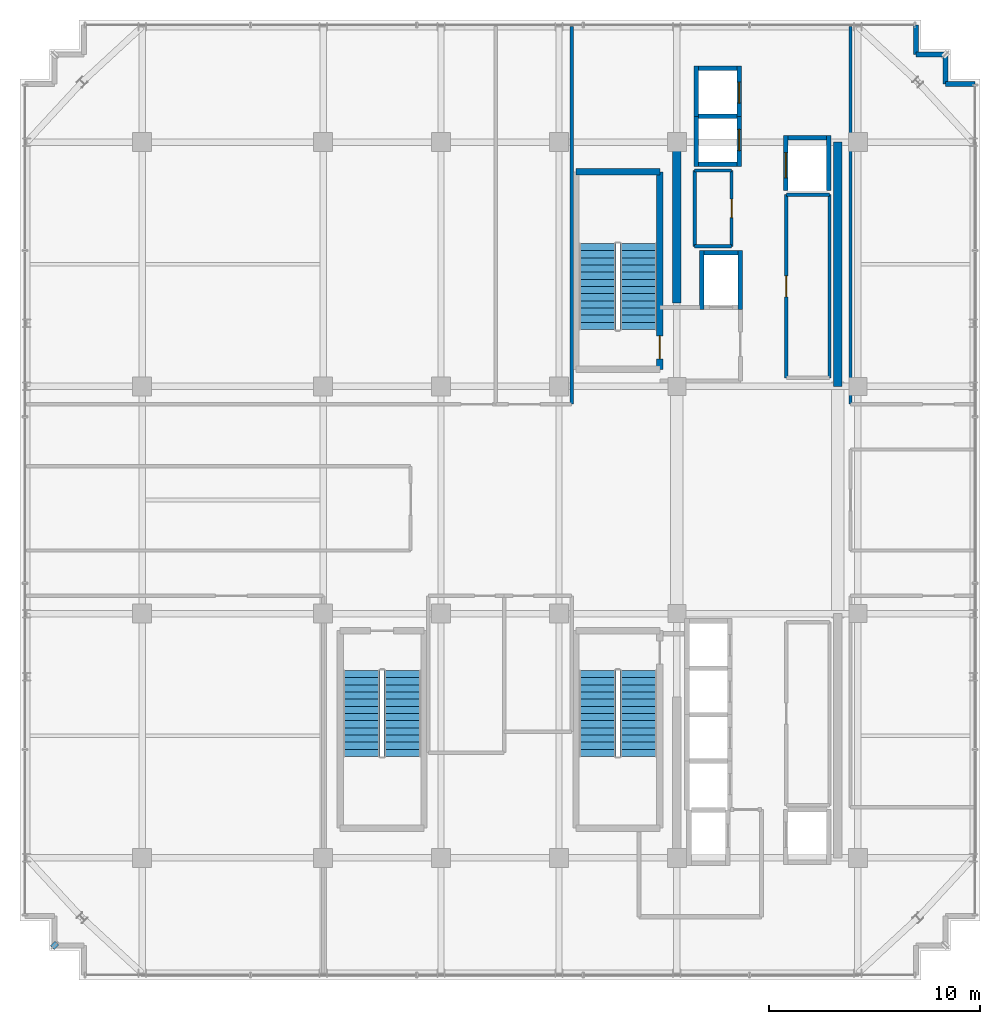
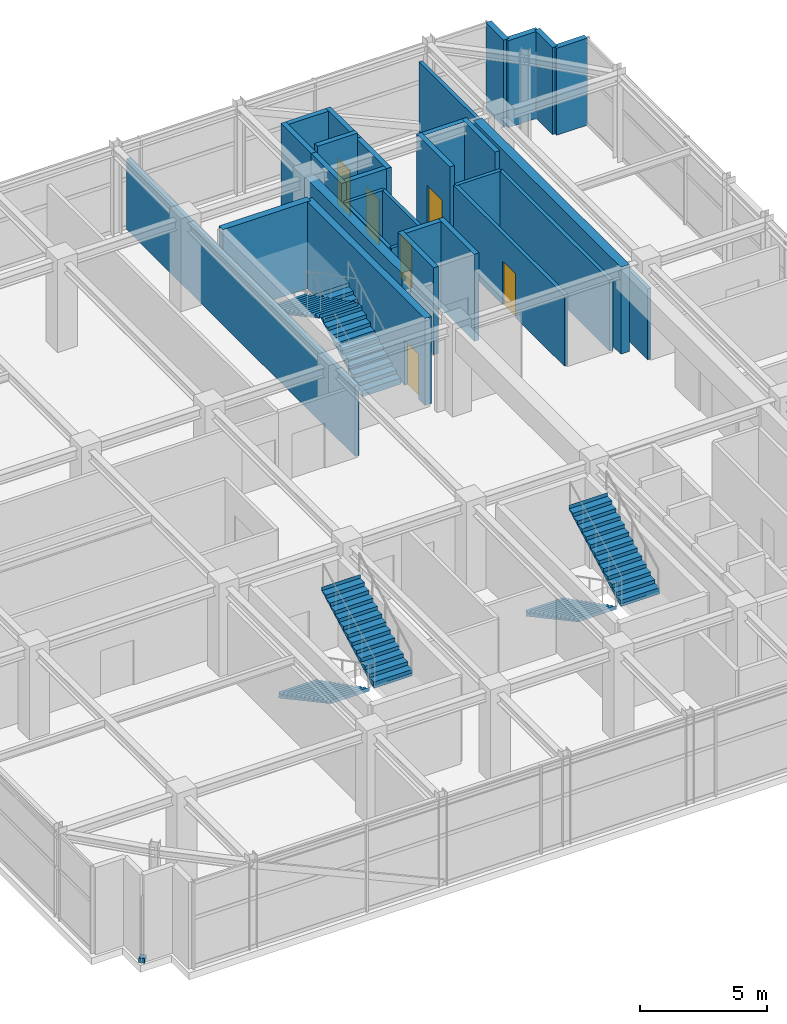
# One storey, part 24 of 26: 30 walls, 6 doors, 6 stair flights, 1 discrete accessory, 6 openings, 3 elements without a shape of their own.
"""IFC4 building model written with IfcOpenShell, lengths in metres."""

from ifc_helpers import new_model, si_unit, direction, frame, frame_2d, origin, origin_2d, place, context, subcontext, project, spatial, polyline, rectangle, outline, extrude, source, transform, mapped, material, layer, layer_set, type_object, element, fill, aggregate, save


model = new_model("IFC4")

# Units and contexts
model_context = context("Model", 3, precision=1e-05, world=origin(), true_north=direction((0.0, 1.0)))
body_context = subcontext(model_context, "Body", "Model", "MODEL_VIEW")
ifc_project = project(units=[si_unit("LENGTHUNIT", "METRE"), si_unit("AREAUNIT", "SQUARE_METRE"), si_unit("VOLUMEUNIT", "CUBIC_METRE"), si_unit("PLANEANGLEUNIT", "RADIAN"), si_unit("MASSUNIT", "GRAM", prefix="KILO")], contexts=[model_context])

# Site, building, storey
site_placement = place(None, origin())
site = spatial("IfcSite", under=ifc_project, at=site_placement, CompositionType="ELEMENT")
building_placement = place(site_placement, origin())
building = spatial("IfcBuilding", under=site, at=building_placement, Name="Nahalor Promenade Grand Hotel", CompositionType="ELEMENT")
storey_placement = place(building_placement, frame((0.0, 0.0, 343.050048828125)))
storey = spatial("IfcBuildingStorey", under=building, at=storey_placement, Name="L88", CompositionType="ELEMENT", Elevation=343.050048828125)

# Walls
ifc_material_1 = material(Name="Concrete B-50 (C40/50)", Category="concrete")
ifc_layer_1 = layer(ifc_material_1, 0.39990234375)
ifc_layer_set_1 = layer_set([ifc_layer_1], Name="Concrete B-50 (C40/50)")
wall_type_1 = type_object("IfcWallType", Name="Wall-CoreShear-400", PredefinedType="SHEAR", material=ifc_layer_set_1)
shared_shape_1 = source(origin(), body_context, "Body", "SweptSolid", [
    extrude(rectangle(XDim=7.64990234375, YDim=0.39990234375, at=frame_2d((3.824951171875, 0.0))), origin(), (0.0, 0.0, 1.0), 4.169921875),
])
wall_1_placement = place(storey_placement, frame((8.39990234375, 9.35009765625, 0.0), z_axis=(0.0, 0.0, 1.0), x_axis=(0.0, 1.0, 0.0)))
element("IfcWall", 1, at=wall_1_placement, inside=storey, type_object=wall_type_1, Name="CWALL-L88-NW", PredefinedType="SHEAR", context=body_context, shape_type="MappedRepresentation", body=[
    mapped(shared_shape_1, transform((0.0, 0.0, 0.0), scale=1.0)),
])
shared_shape_2 = source(origin(), body_context, "Body", "SweptSolid", [
    extrude(rectangle(XDim=11.60009765625, YDim=0.39990234375, at=frame_2d((5.800048828125, 0.0))), origin(), (0.0, 0.0, 1.0), 4.169921875),
])
wall_2_placement = place(storey_placement, frame((16.050048828125, 5.39990234375, 0.0), z_axis=(0.0, 0.0, 1.0), x_axis=(0.0, 1.0, 0.0)))
element("IfcWall", 2, at=wall_2_placement, inside=storey, type_object=wall_type_1, Name="CWALL-L88-NE", PredefinedType="SHEAR", context=body_context, shape_type="MappedRepresentation", body=[
    mapped(shared_shape_2, transform((0.0, 0.0, 0.0), scale=1.0)),
])
ifc_layer_2 = layer(ifc_material_1, 0.300048828125)
ifc_layer_set_2 = layer_set([ifc_layer_2], Name="Concrete B-50 (C40/50)")
wall_type_2 = type_object("IfcWallType", Name="Wall-ShaftShear-300", PredefinedType="SHEAR", material=ifc_layer_set_2)
shared_shape_3 = source(origin(), body_context, "Body", "SweptSolid", [
    extrude(rectangle(XDim=3.97998046875, YDim=0.300048828125, at=frame_2d((1.989990234375, 0.0))), origin(), (0.0, 0.0, 1.0), 4.169921875),
])
wall_3_placement = place(storey_placement, frame((3.610107421875, 15.590087890625, 0.0), z_axis=(0.0, 0.0, 1.0), x_axis=(1.0, 0.0, 0.0)))
element("IfcWall", 3, at=wall_3_placement, inside=storey, type_object=wall_type_2, Name="L88 Exit Stair ST1 Shaft Wall N", PredefinedType="SHEAR", context=body_context, shape_type="MappedRepresentation", body=[
    mapped(shared_shape_3, transform((0.0, 0.0, 0.0), scale=1.0)),
])

# Wall, opening, door
shared_shape_4 = source(origin(), body_context, "Body", "SweptSolid", [
    extrude(rectangle(XDim=9.380126953125, YDim=0.300048828125, at=frame_2d((4.68994140625, 0.0))), origin(), (0.0, 0.0, 1.0), 4.169921875),
])
wall_4_placement = place(storey_placement, frame((7.590087890625, 6.2099609375, 0.0), z_axis=(0.0, 0.0, 1.0), x_axis=(0.0, 1.0, 0.0)))
wall_4 = element("IfcWall", 4, at=wall_4_placement, inside=storey, type_object=wall_type_2, Name="L88 Exit Stair ST1 Shaft Wall E", PredefinedType="SHEAR", context=body_context, shape_type="MappedRepresentation", body=[
    mapped(shared_shape_4, transform((0.0, 0.0, 0.0), scale=1.0)),
])
opening_1_placement = place(wall_4_placement, frame((0.489990234375, 0.0, 0.0)))
opening_1 = element("IfcOpeningElement", 5, at=opening_1_placement, cuts=wall_4, Name="Opening D-ST1", PredefinedType="OPENING", context=body_context, shape_type="SweptSolid", body=[
    extrude(rectangle(XDim=1.10009765625, YDim=2.14990234375, at=frame_2d((0.550048828125, 1.074951171875))), frame((0.0, 0.159912109375, 0.0), z_axis=(0.0, -1.0, 0.0), x_axis=(1.0, 0.0, 0.0)), (0.0, 0.0, 1.0), 0.320068359375),
])
ifc_material_2 = material(Name="Steel S355JR", Category="steel")
door_type_1 = type_object("IfcDoorType", Name="Door-StairFire-1100", OperationType="NOTDEFINED", PredefinedType="DOOR", material=ifc_material_2)
shared_shape_5 = source(origin(), body_context, "Body", "SweptSolid", [
    extrude(rectangle(XDim=1.10009765625, YDim=2.14990234375, at=frame_2d((0.550048828125, 1.074951171875))), frame((0.0, 0.02490234375, 0.0), z_axis=(0.0, -1.0, 0.0), x_axis=(1.0, 0.0, 0.0)), (0.0, 0.0, 1.0), 0.050048828125),
])
door_1_placement = place(opening_1_placement, origin())
door_1 = element("IfcDoor", 6, at=door_1_placement, inside=storey, type_object=door_type_1, Name="DR-STAIR-ST1-L88", OperationType="SINGLE_SWING_LEFT", OverallHeight=2.14990234375, OverallWidth=1.10009765625, PredefinedType="DOOR", context=body_context, shape_type="MappedRepresentation", body=[
    mapped(shared_shape_5, transform((0.0, 0.0, 0.0), scale=1.0)),
])
fill(opening_1, door_1)

# Walls
ifc_layer_3 = layer(ifc_material_1, 0.219970703125)
ifc_layer_set_3 = layer_set([ifc_layer_3], Name="Concrete B-50 (C40/50)")
wall_type_3 = type_object("IfcWallType", Name="Wall-LiftShaft-220", PredefinedType="SHEAR", material=ifc_layer_set_3)
shared_shape_6 = source(origin(), body_context, "Body", "SweptSolid", [
    extrude(rectangle(XDim=1.820068359375, YDim=0.219970703125, at=frame_2d((0.91015625, 0.0))), origin(), (0.0, 0.0, 1.0), 4.5),
])
wall_5_placement = place(storey_placement, frame((9.43994140625, 18.22509765625, 0.0), z_axis=(0.0, 0.0, 1.0), x_axis=(1.0, 0.0, 0.0)))
element("IfcWall", 7, at=wall_5_placement, inside=storey, type_object=wall_type_3, Name="L88 Lift OB1 Hoistway Wall N", PredefinedType="SHEAR", context=body_context, shape_type="MappedRepresentation", body=[
    mapped(shared_shape_6, transform((0.0, 0.0, 0.0), scale=1.0)),
])
shared_shape_7 = source(origin(), body_context, "Body", "SweptSolid", [
    extrude(rectangle(XDim=1.820068359375, YDim=0.219970703125, at=frame_2d((0.91015625, 0.0))), origin(), (0.0, 0.0, 1.0), 4.169921875),
])
for number, where, z_axis, x_axis, name in (
    (8, (9.43994140625, 15.949951171875, 0.0), (0.0, 0.0, 1.0), (1.0, 0.0, 0.0), "L88 Lift OB1 Hoistway Wall S"),
    (9, (9.43994140625, 20.5, 0.0), (0.0, 0.0, 1.0), (1.0, 0.0, 0.0), "L88 Lift OB2 Hoistway Wall N"),
    (10, (13.68994140625, 17.199951171875, 0.0), (0.0, 0.0, 1.0), (1.0, 0.0, 0.0), "L88 Lift SV1 Hoistway Wall N"),
):
    element("IfcWall", number, at=place(storey_placement, frame(where, z_axis=z_axis, x_axis=x_axis)), inside=storey, type_object=wall_type_3, Name=name, PredefinedType="SHEAR", context=body_context, shape_type="MappedRepresentation", body=[
        mapped(shared_shape_7, transform((0.0, 0.0, 0.0), scale=1.0)),
    ])
shared_shape_8 = source(origin(), body_context, "Body", "SweptSolid", [
    extrude(rectangle(XDim=2.385009765625, YDim=0.219970703125, at=frame_2d((1.1923828125, 0.0))), origin(), (0.0, 0.0, 1.0), 4.169921875),
])
wall_6_placement = place(storey_placement, frame((9.330078125, 15.840087890625, 0.0), z_axis=(0.0, 0.0, 1.0), x_axis=(0.0, 1.0, 0.0)))
element("IfcWall", 11, at=wall_6_placement, inside=storey, type_object=wall_type_3, Name="L88 Lift OB1 Hoistway Wall W", PredefinedType="SHEAR", context=body_context, shape_type="MappedRepresentation", body=[
    mapped(shared_shape_8, transform((0.0, 0.0, 0.0), scale=1.0)),
])

# Wall, opening, door
wall_7_placement = place(storey_placement, frame((11.3701171875, 15.840087890625, 0.0), z_axis=(0.0, 0.0, 1.0), x_axis=(0.0, 1.0, 0.0)))
wall_7 = element("IfcWall", 12, at=wall_7_placement, inside=storey, type_object=wall_type_3, Name="L88 Lift OB1 Hoistway Wall E", PredefinedType="SHEAR", context=body_context, shape_type="MappedRepresentation", body=[
    mapped(shared_shape_8, transform((0.0, 0.0, 0.0), scale=1.0)),
])
opening_2_placement = place(wall_7_placement, frame((0.760009765625, 0.0, 0.0)))
opening_2 = element("IfcOpeningElement", 13, at=opening_2_placement, cuts=wall_7, Name="Opening LD-01", PredefinedType="OPENING", context=body_context, shape_type="SweptSolid", body=[
    extrude(rectangle(XDim=1.0, YDim=2.199951171875, at=frame_2d((0.5, 1.10009765625))), frame((0.0, 0.119873046875, 0.0), z_axis=(0.0, -1.0, 0.0), x_axis=(1.0, 0.0, 0.0)), (0.0, 0.0, 1.0), 0.239990234375),
])
door_type_2 = type_object("IfcDoorType", Name="Door-LiftLanding-1000", OperationType="DOUBLE_DOOR_SLIDING", PredefinedType="DOOR", material=ifc_material_2)
shared_shape_9 = source(origin(), body_context, "Body", "SweptSolid", [
    extrude(rectangle(XDim=1.0, YDim=2.199951171875, at=frame_2d((0.5, 1.10009765625))), frame((0.0, 0.02490234375, 0.0), z_axis=(0.0, -1.0, 0.0), x_axis=(1.0, 0.0, 0.0)), (0.0, 0.0, 1.0), 0.050048828125),
])
door_2_placement = place(opening_2_placement, frame((1.0, 0.0, 0.0), z_axis=(0.0, 0.0, 1.0), x_axis=(-1.0, 0.0, 0.0)))
door_2 = element("IfcDoor", 14, at=door_2_placement, inside=storey, type_object=door_type_2, Name="DR-LIFT-OB1-L88", OperationType="DOUBLE_DOOR_SLIDING", OverallHeight=2.199951171875, OverallWidth=1.0, PredefinedType="DOOR", context=body_context, shape_type="MappedRepresentation", body=[
    mapped(shared_shape_9, transform((0.0, 0.0, 0.0), scale=1.0)),
])
fill(opening_2, door_2)

# Wall
wall_8_placement = place(storey_placement, frame((9.330078125, 18.22509765625, 0.0), z_axis=(0.0, 0.0, 1.0), x_axis=(0.0, 1.0, 0.0)))
element("IfcWall", 15, at=wall_8_placement, inside=storey, type_object=wall_type_3, Name="L88 Lift OB2 Hoistway Wall W", PredefinedType="SHEAR", context=body_context, shape_type="MappedRepresentation", body=[
    mapped(shared_shape_8, transform((0.0, 0.0, 0.0), scale=1.0)),
])

# Wall, opening, door
wall_9_placement = place(storey_placement, frame((11.3701171875, 18.22509765625, 0.0), z_axis=(0.0, 0.0, 1.0), x_axis=(0.0, 1.0, 0.0)))
wall_9 = element("IfcWall", 16, at=wall_9_placement, inside=storey, type_object=wall_type_3, Name="L88 Lift OB2 Hoistway Wall E", PredefinedType="SHEAR", context=body_context, shape_type="MappedRepresentation", body=[
    mapped(shared_shape_8, transform((0.0, 0.0, 0.0), scale=1.0)),
])
opening_3_placement = place(wall_9_placement, frame((0.625, 0.0, 0.0)))
opening_3 = element("IfcOpeningElement", 17, at=opening_3_placement, cuts=wall_9, Name="Opening LD-01", PredefinedType="OPENING", context=body_context, shape_type="SweptSolid", body=[
    extrude(rectangle(XDim=1.0, YDim=2.199951171875, at=frame_2d((0.5, 1.10009765625))), frame((0.0, 0.119873046875, 0.0), z_axis=(0.0, -1.0, 0.0), x_axis=(1.0, 0.0, 0.0)), (0.0, 0.0, 1.0), 0.239990234375),
])
door_3_placement = place(opening_3_placement, frame((1.0, 0.0, 0.0), z_axis=(0.0, 0.0, 1.0), x_axis=(-1.0, 0.0, 0.0)))
door_3 = element("IfcDoor", 18, at=door_3_placement, inside=storey, type_object=door_type_2, Name="DR-LIFT-OB2-L88", OperationType="DOUBLE_DOOR_SLIDING", OverallHeight=2.199951171875, OverallWidth=1.0, PredefinedType="DOOR", context=body_context, shape_type="MappedRepresentation", body=[
    mapped(shared_shape_9, transform((0.0, 0.0, 0.0), scale=1.0)),
])
fill(opening_3, door_3)

# Walls
shared_shape_10 = source(origin(), body_context, "Body", "SweptSolid", [
    extrude(rectangle(XDim=2.820068359375, YDim=0.219970703125, at=frame_2d((1.41015625, 0.0))), origin(), (0.0, 0.0, 1.0), 4.169921875),
])
for number, where, z_axis, x_axis, name in (
    (19, (9.580078125, 9.0400390625, 0.0), (0.0, 0.0, 1.0), (0.0, 1.0, 0.0), "L88 Lift FL1 Hoistway Wall W"),
    (20, (11.419921875, 9.0400390625, 0.0), (0.0, 0.0, 1.0), (0.0, 1.0, 0.0), "L88 Lift FL1 Hoistway Wall E"),
):
    element("IfcWall", number, at=place(storey_placement, frame(where, z_axis=z_axis, x_axis=x_axis)), inside=storey, type_object=wall_type_3, Name=name, PredefinedType="SHEAR", context=body_context, shape_type="MappedRepresentation", body=[
        mapped(shared_shape_10, transform((0.0, 0.0, 0.0), scale=1.0)),
    ])
shared_shape_11 = source(origin(), body_context, "Body", "SweptSolid", [
    extrude(rectangle(XDim=1.6201171875, YDim=0.219970703125, at=frame_2d((0.81005859375, 0.0))), origin(), (0.0, 0.0, 1.0), 4.169921875),
])
wall_10_placement = place(storey_placement, frame((9.68994140625, 11.75, 0.0), z_axis=(0.0, 0.0, 1.0), x_axis=(1.0, 0.0, 0.0)))
element("IfcWall", 21, at=wall_10_placement, inside=storey, type_object=wall_type_3, Name="L88 Lift FL1 Hoistway Wall N", PredefinedType="SHEAR", context=body_context, shape_type="MappedRepresentation", body=[
    mapped(shared_shape_11, transform((0.0, 0.0, 0.0), scale=1.0)),
])

# Wall, opening, door
shared_shape_12 = source(origin(), body_context, "Body", "SweptSolid", [
    extrude(rectangle(XDim=2.610107421875, YDim=0.219970703125, at=frame_2d((1.30517578125, 0.0))), origin(), (0.0, 0.0, 1.0), 4.169921875),
])
wall_11_placement = place(storey_placement, frame((13.580078125, 14.699951171875, 0.0), z_axis=(0.0, 0.0, 1.0), x_axis=(0.0, 1.0, 0.0)))
wall_11 = element("IfcWall", 22, at=wall_11_placement, inside=storey, type_object=wall_type_3, Name="L88 Lift SV1 Hoistway Wall W", PredefinedType="SHEAR", context=body_context, shape_type="MappedRepresentation", body=[
    mapped(shared_shape_12, transform((0.0, 0.0, 0.0), scale=1.0)),
])
opening_4_placement = place(wall_11_placement, frame((0.60009765625, 0.0, 0.0)))
opening_4 = element("IfcOpeningElement", 23, at=opening_4_placement, cuts=wall_11, Name="Opening LD-03", PredefinedType="OPENING", context=body_context, shape_type="SweptSolid", body=[
    extrude(rectangle(XDim=1.199951171875, YDim=2.199951171875, at=frame_2d((0.60009765625, 1.10009765625))), frame((0.0, 0.119873046875, 0.0), z_axis=(0.0, -1.0, 0.0), x_axis=(1.0, 0.0, 0.0)), (0.0, 0.0, 1.0), 0.239990234375),
])
door_type_3 = type_object("IfcDoorType", Name="Door-LiftService-1200", OperationType="DOUBLE_DOOR_SLIDING", PredefinedType="DOOR", material=ifc_material_2)
shared_shape_13 = source(origin(), body_context, "Body", "SweptSolid", [
    extrude(rectangle(XDim=1.199951171875, YDim=2.199951171875, at=frame_2d((0.60009765625, 1.10009765625))), frame((0.0, 0.02490234375, 0.0), z_axis=(0.0, -1.0, 0.0), x_axis=(1.0, 0.0, 0.0)), (0.0, 0.0, 1.0), 0.050048828125),
])
door_4_placement = place(opening_4_placement, origin())
door_4 = element("IfcDoor", 24, at=door_4_placement, inside=storey, type_object=door_type_3, Name="DR-LIFT-SV1-L88", OperationType="DOUBLE_DOOR_SLIDING", OverallHeight=2.199951171875, OverallWidth=1.199951171875, PredefinedType="DOOR", context=body_context, shape_type="MappedRepresentation", body=[
    mapped(shared_shape_13, transform((0.0, 0.0, 0.0), scale=1.0)),
])
fill(opening_4, door_4)

# Walls
wall_12_placement = place(storey_placement, frame((15.6201171875, 14.699951171875, 0.0), z_axis=(0.0, 0.0, 1.0), x_axis=(0.0, 1.0, 0.0)))
element("IfcWall", 25, at=wall_12_placement, inside=storey, type_object=wall_type_3, Name="L88 Lift SV1 Hoistway Wall E", PredefinedType="SHEAR", context=body_context, shape_type="MappedRepresentation", body=[
    mapped(shared_shape_12, transform((0.0, 0.0, 0.0), scale=1.0)),
])
ifc_material_3 = material(Name="Concrete B-40 (C32/40)", Category="concrete")
ifc_layer_4 = layer(ifc_material_3, 0.25)
ifc_layer_set_4 = layer_set([ifc_layer_4], Name="Concrete B-40 (C32/40)")
wall_type_4 = type_object("IfcWallType", Name="Wall-BronzePier-250", PredefinedType="STANDARD", material=ifc_layer_set_4)
shared_shape_14 = source(origin(), body_context, "Body", "SweptSolid", [
    extrude(rectangle(XDim=1.400146484375, YDim=0.25, at=frame_2d((0.7001953125, 0.0))), origin(), (0.0, 0.0, 1.0), 4.169921875),
])
for number, where, z_axis, x_axis, name in (
    (26, (21.159912109375, 19.760009765625, 0.0), (0.0, 0.0, 1.0), (1.0, 0.0, 0.0), "W-L88-SR-05"),
    (27, (19.760009765625, 21.159912109375, 0.0), (0.0, 0.0, 1.0), (0.0, 1.0, 0.0), "W-L88-SR-08"),
):
    element("IfcWall", number, at=place(storey_placement, frame(where, z_axis=z_axis, x_axis=x_axis)), inside=storey, type_object=wall_type_4, Name=name, PredefinedType="STANDARD", context=body_context, shape_type="MappedRepresentation", body=[
        mapped(shared_shape_14, transform((0.0, 0.0, 0.0), scale=1.0)),
    ])
shared_shape_15 = source(origin(), body_context, "Body", "SweptSolid", [
    extrude(rectangle(XDim=1.39990234375, YDim=0.25, at=frame_2d((0.699951171875, 0.0))), origin(), (0.0, 0.0, 1.0), 4.169921875),
])
for number, where, z_axis, x_axis, name in (
    (28, (21.159912109375, 19.760009765625, 0.0), (0.0, 0.0, 1.0), (0.0, 1.0, 0.0), "W-L88-SR-06"),
    (29, (19.760009765625, 21.159912109375, 0.0), (0.0, 0.0, 1.0), (1.0, 0.0, 0.0), "W-L88-SR-07"),
):
    element("IfcWall", number, at=place(storey_placement, frame(where, z_axis=z_axis, x_axis=x_axis)), inside=storey, type_object=wall_type_4, Name=name, PredefinedType="STANDARD", context=body_context, shape_type="MappedRepresentation", body=[
        mapped(shared_shape_15, transform((0.0, 0.0, 0.0), scale=1.0)),
    ])
ifc_material_4 = material(Name="Acoustic Mineral Gypsum", Category="gypsum")
ifc_layer_5 = layer(ifc_material_4, 0.14990234375)
ifc_layer_set_5 = layer_set([ifc_layer_5], Name="Acoustic Mineral Gypsum")
wall_type_5 = type_object("IfcWallType", Name="Wall-PartService-150", PredefinedType="PARTITIONING", material=ifc_layer_set_5)
shared_shape_16 = source(origin(), body_context, "Body", "SweptSolid", [
    extrude(rectangle(XDim=1.75, YDim=0.14990234375, at=frame_2d((0.875, 0.0))), origin(), (0.0, 0.0, 1.0), 3.39990234375),
])
for number, where, z_axis, x_axis, name in (
    (30, (9.25, 12.050048828125, 0.0), (0.0, 0.0, 1.0), (1.0, 0.0, 0.0), "W-L88-CK1A-S"),
    (31, (9.25, 15.64990234375, 0.0), (0.0, 0.0, 1.0), (1.0, 0.0, 0.0), "W-L88-CK1A-N"),
):
    element("IfcWall", number, at=place(storey_placement, frame(where, z_axis=z_axis, x_axis=x_axis)), inside=storey, type_object=wall_type_5, Name=name, PredefinedType="PARTITIONING", context=body_context, shape_type="MappedRepresentation", body=[
        mapped(shared_shape_16, transform((0.0, 0.0, 0.0), scale=1.0)),
    ])
ifc_layer_6 = layer(ifc_material_4, 0.159912109375)
ifc_layer_set_6 = layer_set([ifc_layer_6], Name="Acoustic Mineral Gypsum")
wall_type_6 = type_object("IfcWallType", Name="Wall-PartCorridor-160", PredefinedType="PARTITIONING", material=ifc_layer_set_6)
shared_shape_17 = source(origin(), body_context, "Body", "SweptSolid", [
    extrude(rectangle(XDim=2.0498046875, YDim=0.159912109375, at=frame_2d((1.02490234375, 0.0))), origin(), (0.0, 0.0, 1.0), 3.39990234375),
])
wall_13_placement = place(storey_placement, frame((13.60009765625, 14.5, 0.0), z_axis=(0.0, 0.0, 1.0), x_axis=(1.0, 0.0, 0.0)))
element("IfcWall", 32, at=wall_13_placement, inside=storey, type_object=wall_type_6, Name="W-L88-FRB1-N", PredefinedType="PARTITIONING", context=body_context, shape_type="MappedRepresentation", body=[
    mapped(shared_shape_17, transform((0.0, 0.0, 0.0), scale=1.0)),
])
shared_shape_18 = source(origin(), body_context, "Body", "SweptSolid", [
    extrude(rectangle(XDim=17.949951171875, YDim=0.159912109375, at=frame_2d((8.97509765625, 0.0))), origin(), (0.0, 0.0, 1.0), 3.39990234375),
])
for number, where, z_axis, x_axis, name in (
    (33, (3.39990234375, 4.550048828125, 0.0), (0.0, 0.0, 1.0), (0.0, 1.0, 0.0), "W-L88-SK04-E"),
    (34, (16.64990234375, 4.550048828125, 0.0), (0.0, 0.0, 1.0), (0.0, 1.0, 0.0), "W-L88-SK06-W"),
):
    element("IfcWall", number, at=place(storey_placement, frame(where, z_axis=z_axis, x_axis=x_axis)), inside=storey, type_object=wall_type_6, Name=name, PredefinedType="PARTITIONING", context=body_context, shape_type="MappedRepresentation", body=[
        mapped(shared_shape_18, transform((0.0, 0.0, 0.0), scale=1.0)),
    ])
shared_shape_19 = source(origin(), body_context, "Body", "SweptSolid", [
    extrude(rectangle(XDim=3.599853515625, YDim=0.14990234375, at=frame_2d((1.7998046875, 0.0))), origin(), (0.0, 0.0, 1.0), 3.39990234375),
])
wall_14_placement = place(storey_placement, frame((9.25, 12.050048828125, 0.0), z_axis=(0.0, 0.0, 1.0), x_axis=(0.0, 1.0, 0.0)))
element("IfcWall", 35, at=wall_14_placement, inside=storey, type_object=wall_type_5, Name="W-L88-CK1A-W", PredefinedType="PARTITIONING", context=body_context, shape_type="MappedRepresentation", body=[
    mapped(shared_shape_19, transform((0.0, 0.0, 0.0), scale=1.0)),
])

# Wall, opening, door
wall_15_placement = place(storey_placement, frame((11.0, 12.050048828125, 0.0), z_axis=(0.0, 0.0, 1.0), x_axis=(0.0, 1.0, 0.0)))
wall_15 = element("IfcWall", 36, at=wall_15_placement, inside=storey, type_object=wall_type_5, Name="W-L88-CK1A-E", PredefinedType="PARTITIONING", context=body_context, shape_type="MappedRepresentation", body=[
    mapped(shared_shape_19, transform((0.0, 0.0, 0.0), scale=1.0)),
])
opening_5_placement = place(wall_15_placement, frame((1.360107421875, 0.0, 0.0)))
opening_5 = element("IfcOpeningElement", 37, at=opening_5_placement, cuts=wall_15, Name="Opening D-03", PredefinedType="OPENING", context=body_context, shape_type="SweptSolid", body=[
    extrude(rectangle(XDim=0.8798828125, YDim=2.10009765625, at=frame_2d((0.43994140625, 1.050048828125))), frame((0.0, 0.0849609375, 0.0), z_axis=(0.0, -1.0, 0.0), x_axis=(1.0, 0.0, 0.0)), (0.0, 0.0, 1.0), 0.169921875),
])
ifc_material_5 = material(Name="Fire-Rated Timber Composite", Category="wood")
door_type_4 = type_object("IfcDoorType", Name="Door-BathSwing-880", OperationType="NOTDEFINED", PredefinedType="DOOR", material=ifc_material_5)
shared_shape_20 = source(origin(), body_context, "Body", "SweptSolid", [
    extrude(rectangle(XDim=0.8798828125, YDim=2.10009765625, at=frame_2d((0.43994140625, 1.050048828125))), frame((0.0, 0.02490234375, 0.0), z_axis=(0.0, -1.0, 0.0), x_axis=(1.0, 0.0, 0.0)), (0.0, 0.0, 1.0), 0.050048828125),
])
door_5_placement = place(opening_5_placement, origin())
door_5 = element("IfcDoor", 38, at=door_5_placement, inside=storey, type_object=door_type_4, Name="DR-L88-CK1A", OperationType="SINGLE_SWING_LEFT", OverallHeight=2.10009765625, OverallWidth=0.8798828125, PredefinedType="DOOR", context=body_context, shape_type="MappedRepresentation", body=[
    mapped(shared_shape_20, transform((0.0, 0.0, 0.0), scale=1.0)),
])
fill(opening_5, door_5)

shared_shape_21 = source(origin(), body_context, "Body", "SweptSolid", [
    extrude(rectangle(XDim=8.699951171875, YDim=0.159912109375, at=frame_2d((4.35009765625, 0.0))), origin(), (0.0, 0.0, 1.0), 3.39990234375),
])
wall_16_placement = place(storey_placement, frame((13.60009765625, 5.800048828125, 0.0), z_axis=(0.0, 0.0, 1.0), x_axis=(0.0, 1.0, 0.0)))
wall_16 = element("IfcWall", 39, at=wall_16_placement, inside=storey, type_object=wall_type_6, Name="W-L88-FRB1-W", PredefinedType="PARTITIONING", context=body_context, shape_type="MappedRepresentation", body=[
    mapped(shared_shape_21, transform((0.0, 0.0, 0.0), scale=1.0)),
])
opening_6_placement = place(wall_16_placement, frame((3.85009765625, 0.0, 0.0)))
opening_6 = element("IfcOpeningElement", 40, at=opening_6_placement, cuts=wall_16, Name="Opening D-04", PredefinedType="OPENING", context=body_context, shape_type="SweptSolid", body=[
    extrude(rectangle(XDim=1.0, YDim=2.10009765625, at=frame_2d((0.5, 1.050048828125))), frame((0.0, 0.08984375, 0.0), z_axis=(0.0, -1.0, 0.0), x_axis=(1.0, 0.0, 0.0)), (0.0, 0.0, 1.0), 0.179931640625),
])
door_type_5 = type_object("IfcDoorType", Name="Door-ServiceFire-1000", OperationType="NOTDEFINED", PredefinedType="DOOR", material=ifc_material_2)
shared_shape_22 = source(origin(), body_context, "Body", "SweptSolid", [
    extrude(rectangle(XDim=1.0, YDim=2.10009765625, at=frame_2d((0.5, 1.050048828125))), frame((0.0, 0.02490234375, 0.0), z_axis=(0.0, -1.0, 0.0), x_axis=(1.0, 0.0, 0.0)), (0.0, 0.0, 1.0), 0.050048828125),
])
door_6_placement = place(opening_6_placement, frame((1.0, 0.0, 0.0), z_axis=(0.0, 0.0, 1.0), x_axis=(-1.0, 0.0, 0.0)))
door_6 = element("IfcDoor", 41, at=door_6_placement, inside=storey, type_object=door_type_5, Name="DR-L88-FRB1", OperationType="SINGLE_SWING_RIGHT", OverallHeight=2.10009765625, OverallWidth=1.0, PredefinedType="DOOR", context=body_context, shape_type="MappedRepresentation", body=[
    mapped(shared_shape_22, transform((0.0, 0.0, 0.0), scale=1.0)),
])
fill(opening_6, door_6)

# Wall
wall_17_placement = place(storey_placement, frame((15.64990234375, 5.800048828125, 0.0), z_axis=(0.0, 0.0, 1.0), x_axis=(0.0, 1.0, 0.0)))
element("IfcWall", 42, at=wall_17_placement, inside=storey, type_object=wall_type_6, Name="W-L88-FRB1-E", PredefinedType="PARTITIONING", context=body_context, shape_type="MappedRepresentation", body=[
    mapped(shared_shape_21, transform((0.0, 0.0, 0.0), scale=1.0)),
])

# Stair, stair flights
stair_type_1 = type_object("IfcStairType", Name="Stair-ST1", PredefinedType="HALF_TURN_STAIR", material=ifc_material_1)
stair_1_placement = place(storey_placement, origin())
stair_1 = element("IfcStair", 43, at=stair_1_placement, inside=storey, type_object=stair_type_1, Name="L88 ST1", PredefinedType="HALF_TURN_STAIR")
ifc_layer_7 = layer(ifc_material_1, 0.179931640625)
ifc_layer_set_7 = layer_set([ifc_layer_7], Name="Concrete B-50 (C40/50)")
stair_flight_type_1 = type_object("IfcStairFlightType", Name="Flight-ST1", PredefinedType="STRAIGHT", material=ifc_layer_set_7)
shared_shape_23 = source(origin(), body_context, "Body", "SweptSolid", [
    extrude(outline(polyline([(-0.00390625, -0.1201171875), (-0.00390625, 0.0), (0.0, 0.0), (0.0, 0.173095703125), (0.340087890625, 0.173095703125), (0.340087890625, 0.34619140625), (0.679931640625, 0.34619140625), (0.679931640625, 0.519287109375), (1.02001953125, 0.519287109375), (1.02001953125, 0.6923828125), (1.360107421875, 0.6923828125), (1.360107421875, 0.865478515625), (1.699951171875, 0.865478515625), (1.699951171875, 1.03857421875), (2.0400390625, 1.03857421875), (2.0400390625, 1.21142578125), (2.3798828125, 1.21142578125), (2.3798828125, 1.384521484375), (2.719970703125, 1.384521484375), (2.719970703125, 1.5576171875), (3.06005859375, 1.5576171875), (3.06005859375, 1.730712890625), (3.39990234375, 1.730712890625), (3.39990234375, 1.90380859375), (3.739990234375, 1.90380859375), (3.739990234375, 2.076904296875), (4.080078125, 2.076904296875), (4.080078125, 2.25), (4.083984375, 2.25), (4.083984375, 2.070068359375), (0.02001953125, -0.1201171875), (-0.00390625, -0.1201171875)])), frame((0.0, 0.875, 0.0), z_axis=(0.0, -1.0, 0.0), x_axis=(1.0, 0.0, 0.0)), (0.0, 0.0, 1.0), 1.75),
])
stair_flight_1_placement = place(storey_placement, frame((6.574951171875, 8.10009765625, 0.0), z_axis=(0.0, 0.0, 1.0), x_axis=(0.0, 1.0, 0.0)))
stair_flight_1 = element("IfcStairFlight", 44, at=stair_flight_1_placement, type_object=stair_flight_type_1, Name="ST1 flight 1", NumberOfRisers=13, NumberOfTreads=12, PredefinedType="STRAIGHT", RiserHeight=0.173076923, TreadLength=0.34, context=body_context, shape_type="MappedRepresentation", body=[
    mapped(shared_shape_23, transform((0.0, 0.0, 0.0), scale=1.0)),
])
stair_flight_2_placement = place(storey_placement, frame((4.625, 12.179931640625, 2.25), z_axis=(0.0, 0.0, 1.0), x_axis=(0.0, -1.0, 0.0)))
stair_flight_2 = element("IfcStairFlight", 45, at=stair_flight_2_placement, type_object=stair_flight_type_1, Name="ST1 flight 2", NumberOfRisers=13, NumberOfTreads=12, PredefinedType="STRAIGHT", RiserHeight=0.173076923, TreadLength=0.34, context=body_context, shape_type="MappedRepresentation", body=[
    mapped(shared_shape_23, transform((0.0, 0.0, 0.0), scale=1.0)),
])
aggregate(stair_1, [stair_flight_1, stair_flight_2])

stair_type_2 = type_object("IfcStairType", Name="Stair-ST2", PredefinedType="HALF_TURN_STAIR", material=ifc_material_1)
stair_2_placement = place(storey_placement, origin())
stair_2 = element("IfcStair", 46, at=stair_2_placement, inside=storey, type_object=stair_type_2, Name="L88 ST2", PredefinedType="HALF_TURN_STAIR")
ifc_layer_8 = layer(ifc_material_1, 0.18994140625)
ifc_layer_set_8 = layer_set([ifc_layer_8], Name="Concrete B-50 (C40/50)")
stair_flight_type_2 = type_object("IfcStairFlightType", Name="Flight-ST2", PredefinedType="STRAIGHT", material=ifc_layer_set_8)
shared_shape_24 = source(origin(), body_context, "Body", "SweptSolid", [
    extrude(outline(polyline([(-0.00390625, -0.1201171875), (-0.00390625, 0.0), (0.0, 0.0), (0.0, 0.173095703125), (0.340087890625, 0.173095703125), (0.340087890625, 0.34619140625), (0.679931640625, 0.34619140625), (0.679931640625, 0.519287109375), (1.02001953125, 0.519287109375), (1.02001953125, 0.6923828125), (1.360107421875, 0.6923828125), (1.360107421875, 0.865478515625), (1.699951171875, 0.865478515625), (1.699951171875, 1.03857421875), (2.0400390625, 1.03857421875), (2.0400390625, 1.21142578125), (2.3798828125, 1.21142578125), (2.3798828125, 1.384521484375), (2.719970703125, 1.384521484375), (2.719970703125, 1.5576171875), (3.06005859375, 1.5576171875), (3.06005859375, 1.730712890625), (3.39990234375, 1.730712890625), (3.39990234375, 1.90380859375), (3.739990234375, 1.90380859375), (3.739990234375, 2.076904296875), (4.080078125, 2.076904296875), (4.080078125, 2.25), (4.083984375, 2.25), (4.083984375, 2.070068359375), (0.02001953125, -0.1201171875), (-0.00390625, -0.1201171875)])), frame((0.0, 0.875, 0.0), z_axis=(0.0, -1.0, 0.0), x_axis=(1.0, 0.0, 0.0)), (0.0, 0.0, 1.0), 1.75),
])
stair_flight_3_placement = place(storey_placement, frame((4.625, -8.10009765625, 0.0), z_axis=(0.0, 0.0, 1.0), x_axis=(0.0, -1.0, 0.0)))
stair_flight_3 = element("IfcStairFlight", 47, at=stair_flight_3_placement, type_object=stair_flight_type_2, Name="ST2 flight 1", NumberOfRisers=13, NumberOfTreads=12, PredefinedType="STRAIGHT", RiserHeight=0.173076923, TreadLength=0.34, context=body_context, shape_type="MappedRepresentation", body=[
    mapped(shared_shape_24, transform((0.0, 0.0, 0.0), scale=1.0)),
])
stair_flight_4_placement = place(storey_placement, frame((6.574951171875, -12.179931640625, 2.25), z_axis=(0.0, 0.0, 1.0), x_axis=(0.0, 1.0, 0.0)))
stair_flight_4 = element("IfcStairFlight", 48, at=stair_flight_4_placement, type_object=stair_flight_type_2, Name="ST2 flight 2", NumberOfRisers=13, NumberOfTreads=12, PredefinedType="STRAIGHT", RiserHeight=0.173076923, TreadLength=0.34, context=body_context, shape_type="MappedRepresentation", body=[
    mapped(shared_shape_24, transform((0.0, 0.0, 0.0), scale=1.0)),
])
aggregate(stair_2, [stair_flight_3, stair_flight_4])

stair_type_3 = type_object("IfcStairType", Name="Stair-ST3", PredefinedType="HALF_TURN_STAIR", material=ifc_material_1)
stair_3_placement = place(storey_placement, origin())
stair_3 = element("IfcStair", 49, at=stair_3_placement, inside=storey, type_object=stair_type_3, Name="L88 ST3", PredefinedType="HALF_TURN_STAIR")
ifc_layer_9 = layer(ifc_material_1, 0.199951171875)
ifc_layer_set_9 = layer_set([ifc_layer_9], Name="Concrete B-50 (C40/50)")
stair_flight_type_3 = type_object("IfcStairFlightType", Name="Flight-ST3", PredefinedType="STRAIGHT", material=ifc_layer_set_9)
shared_shape_25 = source(origin(), body_context, "Body", "SweptSolid", [
    extrude(outline(polyline([(-0.00390625, -0.1201171875), (-0.00390625, 0.0), (0.0, 0.0), (0.0, 0.173095703125), (0.340087890625, 0.173095703125), (0.340087890625, 0.34619140625), (0.679931640625, 0.34619140625), (0.679931640625, 0.519287109375), (1.02001953125, 0.519287109375), (1.02001953125, 0.6923828125), (1.360107421875, 0.6923828125), (1.360107421875, 0.865478515625), (1.699951171875, 0.865478515625), (1.699951171875, 1.03857421875), (2.0400390625, 1.03857421875), (2.0400390625, 1.21142578125), (2.3798828125, 1.21142578125), (2.3798828125, 1.384521484375), (2.719970703125, 1.384521484375), (2.719970703125, 1.5576171875), (3.06005859375, 1.5576171875), (3.06005859375, 1.730712890625), (3.39990234375, 1.730712890625), (3.39990234375, 1.90380859375), (3.739990234375, 1.90380859375), (3.739990234375, 2.076904296875), (4.080078125, 2.076904296875), (4.080078125, 2.25), (4.083984375, 2.25), (4.083984375, 2.070068359375), (0.02001953125, -0.1201171875), (-0.00390625, -0.1201171875)])), frame((0.0, 0.875, 0.0), z_axis=(0.0, -1.0, 0.0), x_axis=(1.0, 0.0, 0.0)), (0.0, 0.0, 1.0), 1.75),
])
stair_flight_5_placement = place(storey_placement, frame((-6.574951171875, -8.10009765625, 0.0), z_axis=(0.0, 0.0, 1.0), x_axis=(0.0, -1.0, 0.0)))
stair_flight_5 = element("IfcStairFlight", 50, at=stair_flight_5_placement, type_object=stair_flight_type_3, Name="ST3 flight 1", NumberOfRisers=13, NumberOfTreads=12, PredefinedType="STRAIGHT", RiserHeight=0.173076923, TreadLength=0.34, context=body_context, shape_type="MappedRepresentation", body=[
    mapped(shared_shape_25, transform((0.0, 0.0, 0.0), scale=1.0)),
])
stair_flight_6_placement = place(storey_placement, frame((-4.625, -12.179931640625, 2.25), z_axis=(0.0, 0.0, 1.0), x_axis=(0.0, 1.0, 0.0)))
stair_flight_6 = element("IfcStairFlight", 51, at=stair_flight_6_placement, type_object=stair_flight_type_3, Name="ST3 flight 2", NumberOfRisers=13, NumberOfTreads=12, PredefinedType="STRAIGHT", RiserHeight=0.173076923, TreadLength=0.34, context=body_context, shape_type="MappedRepresentation", body=[
    mapped(shared_shape_25, transform((0.0, 0.0, 0.0), scale=1.0)),
])
aggregate(stair_3, [stair_flight_5, stair_flight_6])

# Discrete accessory
discrete_accessory_type = type_object("IfcDiscreteAccessoryType", Name="Bracket-FacadeCleat-Bronze", PredefinedType="BRACKET", material=ifc_material_2)
shared_shape_26 = source(origin(), body_context, "Body", "SweptSolid", [
    extrude(rectangle(XDim=0.300048828125, YDim=0.239990234375, at=origin_2d()), origin(), (0.0, 0.0, 1.0), 0.219970703125),
])
discrete_accessory_placement = place(storey_placement, frame((-21.159912109375, -21.159912109375, 0.0), z_axis=(0.0, 0.0, 1.0), x_axis=(0.707106781187, 0.707106781187, 0.0)))
element("IfcDiscreteAccessory", 52, at=discrete_accessory_placement, inside=storey, type_object=discrete_accessory_type, Name="BK-L88-SW", PredefinedType="BRACKET", context=body_context, shape_type="MappedRepresentation", body=[
    mapped(shared_shape_26, transform((0.0, 0.0, 0.0), scale=1.0)),
])

save(model, "model.ifc")
